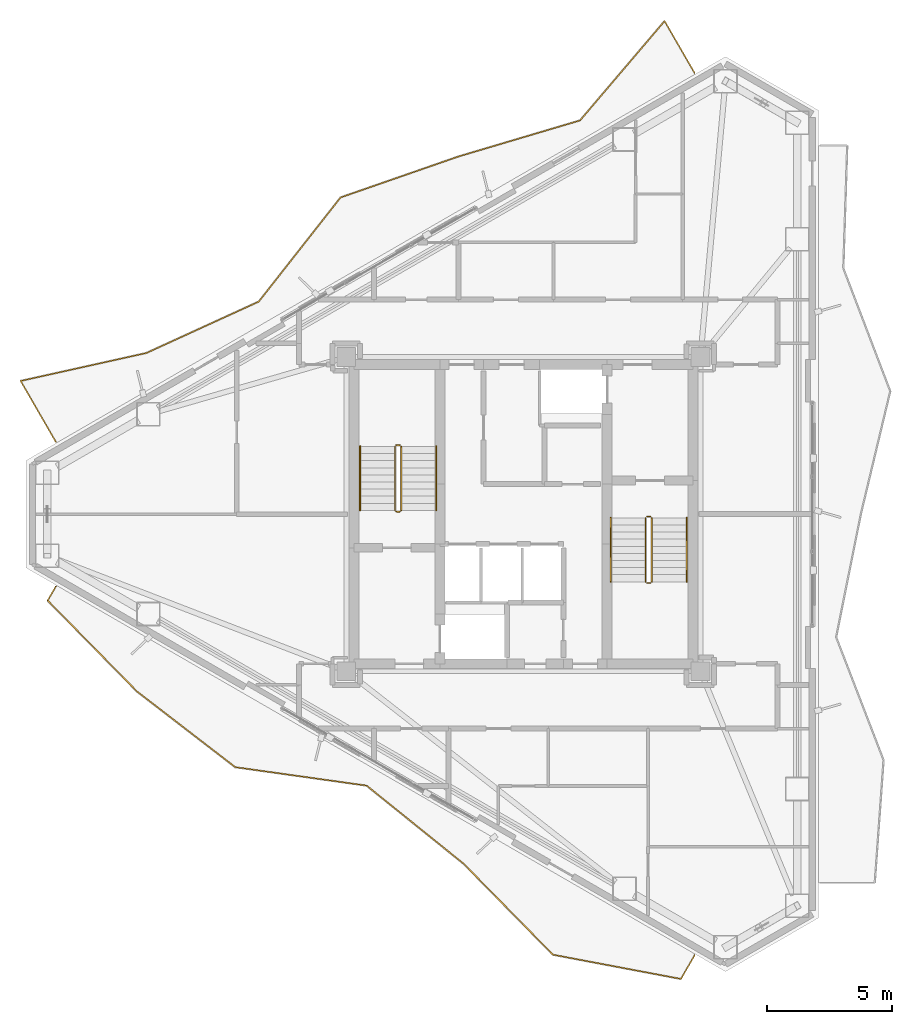
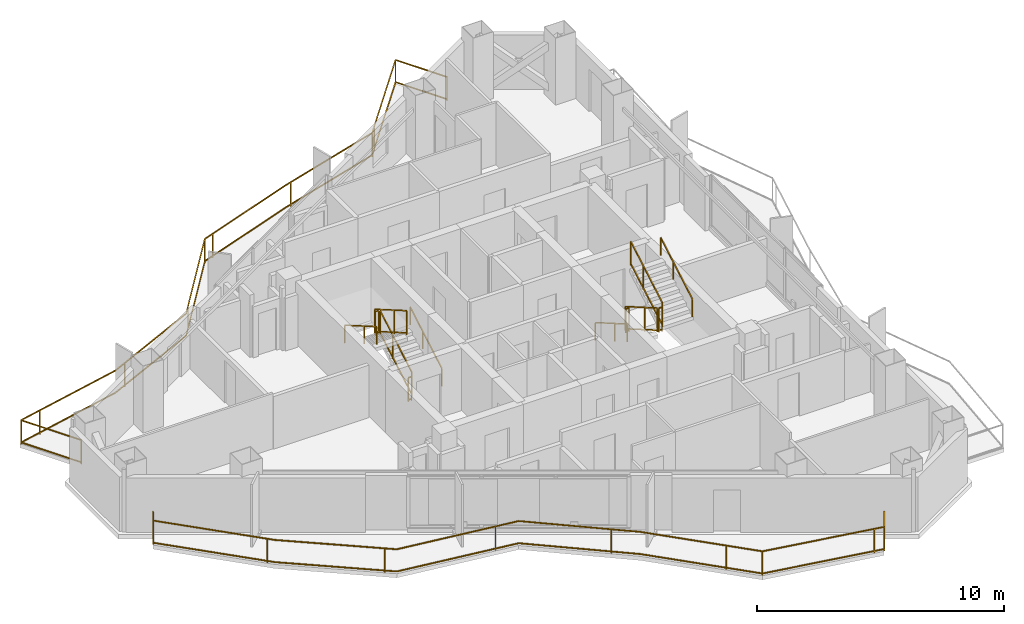
# One storey, part 20 of 21: 14 railings.
"""IFC4 building model written with IfcOpenShell, lengths in metres."""

from ifc_helpers import new_model, si_unit, direction, frame, origin, origin_2d, place, context, subcontext, project, spatial, rectangle, extrude, material, type_object, element, save


model = new_model("IFC4")

# Units and contexts
model_context = context("Model", 3, precision=1e-05, world=origin(), true_north=direction((0.0, 1.0)))
body_context = subcontext(model_context, "Body", "Model", "MODEL_VIEW")
ifc_project = project(units=[si_unit("LENGTHUNIT", "METRE"), si_unit("AREAUNIT", "SQUARE_METRE"), si_unit("VOLUMEUNIT", "CUBIC_METRE"), si_unit("PLANEANGLEUNIT", "RADIAN"), si_unit("MASSUNIT", "GRAM", prefix="KILO")], contexts=[model_context])

# Site, building, storey
site_placement = place(None, origin())
site = spatial("IfcSite", under=ifc_project, at=site_placement, CompositionType="ELEMENT")
building_placement = place(site_placement, origin())
building = spatial("IfcBuilding", under=site, at=building_placement, Name="Mersakhor Tower and Convention Hall", CompositionType="ELEMENT")
storey_placement = place(building_placement, frame((0.0, 0.0, 182.10009765625)))
storey = spatial("IfcBuildingStorey", under=building, at=storey_placement, Name="L50", CompositionType="ELEMENT", Elevation=182.10009765625)

# Railings
ifc_material_1 = material(Name="Powder-coated galvanised steel and laminated glass balustrade", Category="steel")
railing_type_1 = type_object("IfcRailingType", Name="RL-BAL-1200", PredefinedType="BALUSTRADE", material=ifc_material_1)
railing_1_placement = place(storey_placement, frame((35.86669921875, 44.44189453125, 0.0)))
element("IfcRailing", 1, at=railing_1_placement, inside=storey, type_object=railing_type_1, Name="L50 Sinusoidal Balcony Balustrade F1", PredefinedType="BALUSTRADE", context=body_context, shape_type="SweptSolid", body=[
    extrude(rectangle(XDim=0.048095703125, YDim=0.048095703125, at=origin_2d()), frame((0.0, 0.0, 1.17578125), z_axis=(-0.499991841196, 0.866030114221, 0.0), x_axis=(-0.866030114221, -0.499991841196, 0.0)), (0.0, 0.0, 1.0), 2.40576171875),
    extrude(rectangle(XDim=0.048095703125, YDim=0.048095703125, at=origin_2d()), frame((0.0, 0.0, 0.080078125), z_axis=(-0.499991841196, 0.866030114221, 0.0), x_axis=(-0.866030114221, -0.499991841196, 0.0)), (0.0, 0.0, 1.0), 2.40576171875),
    extrude(rectangle(XDim=0.048095703125, YDim=0.048095703125, at=origin_2d()), frame((-1.202880859375, 2.08349609375, 1.17578125), z_axis=(-0.648133018475, -0.76152714355, 0.0), x_axis=(0.76152714355, -0.648133018475, 0.0)), (0.0, 0.0, 1.0), 5.234130859375),
    extrude(rectangle(XDim=0.048095703125, YDim=0.048095703125, at=origin_2d()), frame((-1.202880859375, 2.08349609375, 0.080078125), z_axis=(-0.648133018475, -0.76152714355, 0.0), x_axis=(0.76152714355, -0.648133018475, 0.0)), (0.0, 0.0, 1.0), 5.234130859375),
    extrude(rectangle(XDim=0.048095703125, YDim=0.048095703125, at=origin_2d()), frame((-4.59521484375, -1.90234375, 1.17578125), z_axis=(-0.958674160479, -0.2845063339, 0.0), x_axis=(0.2845063339, -0.958674160479, 0.0)), (0.0, 0.0, 1.0), 5.070556640625),
    extrude(rectangle(XDim=0.048095703125, YDim=0.048095703125, at=origin_2d()), frame((-4.59521484375, -1.90234375, 0.080078125), z_axis=(-0.958674160479, -0.2845063339, 0.0), x_axis=(0.2845063339, -0.958674160479, 0.0)), (0.0, 0.0, 1.0), 5.070556640625),
    extrude(rectangle(XDim=0.048095703125, YDim=0.048095703125, at=origin_2d()), frame((-9.456298828125, -3.344970703125, 1.17578125), z_axis=(-0.944680988636, -0.327990593934, 0.0), x_axis=(0.327990593934, -0.944680988636, 0.0)), (0.0, 0.0, 1.0), 5.020751953125),
    extrude(rectangle(XDim=0.048095703125, YDim=0.048095703125, at=origin_2d()), frame((-9.456298828125, -3.344970703125, 0.080078125), z_axis=(-0.944680988636, -0.327990593934, 0.0), x_axis=(0.327990593934, -0.944680988636, 0.0)), (0.0, 0.0, 1.0), 5.020751953125),
    extrude(rectangle(XDim=0.048095703125, YDim=0.048095703125, at=origin_2d()), frame((-14.19921875, -4.99169921875, 1.17578125), z_axis=(-0.617703826303, -0.786410823279, 0.0), x_axis=(0.786410823279, -0.617703826303, 0.0)), (0.0, 0.0, 1.0), 5.3125),
    extrude(rectangle(XDim=0.048095703125, YDim=0.048095703125, at=origin_2d()), frame((-14.19921875, -4.99169921875, 0.080078125), z_axis=(-0.617703826303, -0.786410823279, 0.0), x_axis=(0.786410823279, -0.617703826303, 0.0)), (0.0, 0.0, 1.0), 5.3125),
    extrude(rectangle(XDim=0.048095703125, YDim=0.048095703125, at=origin_2d()), frame((-17.480712890625, -9.16943359375, 1.17578125), z_axis=(-0.90940523696, -0.415911186421, 0.0), x_axis=(0.415911186421, -0.90940523696, 0.0)), (0.0, 0.0, 1.0), 4.953125),
    extrude(rectangle(XDim=0.048095703125, YDim=0.048095703125, at=origin_2d()), frame((-17.480712890625, -9.16943359375, 0.080078125), z_axis=(-0.90940523696, -0.415911186421, 0.0), x_axis=(0.415911186421, -0.90940523696, 0.0)), (0.0, 0.0, 1.0), 4.953125),
    extrude(rectangle(XDim=0.048095703125, YDim=0.048095703125, at=origin_2d()), frame((-21.985107421875, -11.2294921875, 1.17578125), z_axis=(-0.976212611113, -0.216815446646, 0.0), x_axis=(0.216815446646, -0.976212611113, 0.0)), (0.0, 0.0, 1.0), 5.169677734375),
    extrude(rectangle(XDim=0.048095703125, YDim=0.048095703125, at=origin_2d()), frame((-21.985107421875, -11.2294921875, 0.080078125), z_axis=(-0.976212611113, -0.216815446646, 0.0), x_axis=(0.216815446646, -0.976212611113, 0.0)), (0.0, 0.0, 1.0), 5.169677734375),
    extrude(rectangle(XDim=0.048095703125, YDim=0.048095703125, at=origin_2d()), frame((-27.03173828125, -12.350341796875, 1.17578125), z_axis=(0.499984757355, -0.866034203951, 0.0), x_axis=(0.866034203951, 0.499984757355, 0.0)), (0.0, 0.0, 1.0), 2.81982421875),
    extrude(rectangle(XDim=0.048095703125, YDim=0.048095703125, at=origin_2d()), frame((-27.03173828125, -12.350341796875, 0.080078125), z_axis=(0.499984757355, -0.866034203951, 0.0), x_axis=(0.866034203951, 0.499984757355, 0.0)), (0.0, 0.0, 1.0), 2.81982421875),
    extrude(rectangle(XDim=0.0419921875, YDim=0.0419921875, at=origin_2d()), origin(), (0.0, 0.0, 1.0), 1.15185546875),
    extrude(rectangle(XDim=0.0419921875, YDim=0.0419921875, at=origin_2d()), frame((-1.202880859375, 2.08349609375, 0.0)), (0.0, 0.0, 1.0), 1.15185546875),
    extrude(rectangle(XDim=0.0419921875, YDim=0.0419921875, at=origin_2d()), frame((-4.31396484375, -1.57177734375, 0.0)), (0.0, 0.0, 1.0), 1.15185546875),
    extrude(rectangle(XDim=0.0419921875, YDim=0.0419921875, at=origin_2d()), frame((-4.59521484375, -1.90234375, 0.0)), (0.0, 0.0, 1.0), 1.15185546875),
    extrude(rectangle(XDim=0.0419921875, YDim=0.0419921875, at=origin_2d()), frame((-9.19677734375, -3.26806640625, 0.0)), (0.0, 0.0, 1.0), 1.15185546875),
    extrude(rectangle(XDim=0.0419921875, YDim=0.0419921875, at=origin_2d()), frame((-13.735107421875, -4.83056640625, 0.0)), (0.0, 0.0, 1.0), 1.15185546875),
    extrude(rectangle(XDim=0.0419921875, YDim=0.0419921875, at=origin_2d()), frame((-14.19921875, -4.99169921875, 0.0)), (0.0, 0.0, 1.0), 1.15185546875),
    extrude(rectangle(XDim=0.0419921875, YDim=0.0419921875, at=origin_2d()), frame((-17.164306640625, -8.766357421875, 0.0)), (0.0, 0.0, 1.0), 1.15185546875),
    extrude(rectangle(XDim=0.0419921875, YDim=0.0419921875, at=origin_2d()), frame((-21.3798828125, -10.95263671875, 0.0)), (0.0, 0.0, 1.0), 1.15185546875),
    extrude(rectangle(XDim=0.0419921875, YDim=0.0419921875, at=origin_2d()), frame((-26.021240234375, -12.1259765625, 0.0)), (0.0, 0.0, 1.0), 1.15185546875),
    extrude(rectangle(XDim=0.0419921875, YDim=0.0419921875, at=origin_2d()), frame((-27.03173828125, -12.350341796875, 0.0)), (0.0, 0.0, 1.0), 1.15185546875),
    extrude(rectangle(XDim=0.0419921875, YDim=0.0419921875, at=origin_2d()), frame((-25.621826171875, -14.79248046875, 0.0)), (0.0, 0.0, 1.0), 1.15185546875),
])
railing_2_placement = place(storey_placement, frame((10.244873046875, 23.8505859375, 0.0)))
element("IfcRailing", 2, at=railing_2_placement, inside=storey, type_object=railing_type_1, Name="L50 Sinusoidal Balcony Balustrade F3", PredefinedType="BALUSTRADE", context=body_context, shape_type="SweptSolid", body=[
    extrude(rectangle(XDim=0.048095703125, YDim=0.048095703125, at=origin_2d()), frame((0.0, 0.0, 1.17578125), z_axis=(-0.500058503878, -0.86599162392, 0.0), x_axis=(0.86599162392, -0.500058503878, 0.0)), (0.0, 0.0, 1.0), 0.64990234375),
    extrude(rectangle(XDim=0.048095703125, YDim=0.048095703125, at=origin_2d()), frame((0.0, 0.0, 0.080078125), z_axis=(-0.500058503878, -0.86599162392, 0.0), x_axis=(0.86599162392, -0.500058503878, 0.0)), (0.0, 0.0, 1.0), 0.64990234375),
    extrude(rectangle(XDim=0.048095703125, YDim=0.048095703125, at=origin_2d()), frame((-0.324951171875, -0.562744140625, 1.17578125), z_axis=(0.700733165424, -0.713423458316, 0.0), x_axis=(0.713423458316, 0.700733165424, 0.0)), (0.0, 0.0, 1.0), 5.117431640625),
    extrude(rectangle(XDim=0.048095703125, YDim=0.048095703125, at=origin_2d()), frame((-0.324951171875, -0.562744140625, 0.080078125), z_axis=(0.700733165424, -0.713423458316, 0.0), x_axis=(0.713423458316, 0.700733165424, 0.0)), (0.0, 0.0, 1.0), 5.117431640625),
    extrude(rectangle(XDim=0.048095703125, YDim=0.048095703125, at=origin_2d()), frame((3.260986328125, -4.213623046875, 1.17578125), z_axis=(0.792344770395, -0.610073573291, 0.0), x_axis=(0.610073573291, 0.792344770395, 0.0)), (0.0, 0.0, 1.0), 4.974609375),
    extrude(rectangle(XDim=0.048095703125, YDim=0.048095703125, at=origin_2d()), frame((3.260986328125, -4.213623046875, 0.080078125), z_axis=(0.792344770395, -0.610073573291, 0.0), x_axis=(0.610073573291, 0.792344770395, 0.0)), (0.0, 0.0, 1.0), 4.974609375),
    extrude(rectangle(XDim=0.048095703125, YDim=0.048095703125, at=origin_2d()), frame((7.20263671875, -7.24853515625, 1.17578125), z_axis=(0.990285439779, -0.139049443588, 0.0), x_axis=(0.139049443588, 0.990285439779, 0.0)), (0.0, 0.0, 1.0), 5.318359375),
    extrude(rectangle(XDim=0.048095703125, YDim=0.048095703125, at=origin_2d()), frame((7.20263671875, -7.24853515625, 0.080078125), z_axis=(0.990285439779, -0.139049443588, 0.0), x_axis=(0.139049443588, 0.990285439779, 0.0)), (0.0, 0.0, 1.0), 5.318359375),
    extrude(rectangle(XDim=0.048095703125, YDim=0.048095703125, at=origin_2d()), frame((12.46923828125, -7.988037109375, 1.17578125), z_axis=(0.778840877257, -0.62722156206, 0.0), x_axis=(0.62722156206, 0.778840877257, 0.0)), (0.0, 0.0, 1.0), 4.989990234375),
    extrude(rectangle(XDim=0.048095703125, YDim=0.048095703125, at=origin_2d()), frame((12.46923828125, -7.988037109375, 0.080078125), z_axis=(0.778840877257, -0.62722156206, 0.0), x_axis=(0.62722156206, 0.778840877257, 0.0)), (0.0, 0.0, 1.0), 4.989990234375),
    extrude(rectangle(XDim=0.048095703125, YDim=0.048095703125, at=origin_2d()), frame((16.355712890625, -11.117919921875, 1.17578125), z_axis=(0.700661182148, -0.713494154027, 0.0), x_axis=(0.713494154027, 0.700661182148, 0.0)), (0.0, 0.0, 1.0), 5.11767578125),
    extrude(rectangle(XDim=0.048095703125, YDim=0.048095703125, at=origin_2d()), frame((16.355712890625, -11.117919921875, 0.080078125), z_axis=(0.700661182148, -0.713494154027, 0.0), x_axis=(0.713494154027, 0.700661182148, 0.0)), (0.0, 0.0, 1.0), 5.11767578125),
    extrude(rectangle(XDim=0.048095703125, YDim=0.048095703125, at=origin_2d()), frame((19.94140625, -14.769287109375, 1.17578125), z_axis=(0.982549014252, -0.186003856389, 0.0), x_axis=(0.186003856389, 0.982549014252, 0.0)), (0.0, 0.0, 1.0), 5.223876953125),
    extrude(rectangle(XDim=0.048095703125, YDim=0.048095703125, at=origin_2d()), frame((19.94140625, -14.769287109375, 0.080078125), z_axis=(0.982549014252, -0.186003856389, 0.0), x_axis=(0.186003856389, 0.982549014252, 0.0)), (0.0, 0.0, 1.0), 5.223876953125),
    extrude(rectangle(XDim=0.048095703125, YDim=0.048095703125, at=origin_2d()), frame((25.07421875, -15.740966796875, 1.17578125), z_axis=(0.49999903102, 0.866025963225, 0.0), x_axis=(-0.866025963225, 0.49999903102, 0.0)), (0.0, 0.0, 1.0), 1.09521484375),
    extrude(rectangle(XDim=0.048095703125, YDim=0.048095703125, at=origin_2d()), frame((25.07421875, -15.740966796875, 0.080078125), z_axis=(0.49999903102, 0.866025963225, 0.0), x_axis=(-0.866025963225, 0.49999903102, 0.0)), (0.0, 0.0, 1.0), 1.09521484375),
    extrude(rectangle(XDim=0.0419921875, YDim=0.0419921875, at=origin_2d()), origin(), (0.0, 0.0, 1.0), 1.15185546875),
    extrude(rectangle(XDim=0.0419921875, YDim=0.0419921875, at=origin_2d()), frame((-0.324951171875, -0.562744140625, 0.0)), (0.0, 0.0, 1.0), 1.15185546875),
    extrude(rectangle(XDim=0.0419921875, YDim=0.0419921875, at=origin_2d()), frame((3.03857421875, -3.987060546875, 0.0)), (0.0, 0.0, 1.0), 1.15185546875),
    extrude(rectangle(XDim=0.0419921875, YDim=0.0419921875, at=origin_2d()), frame((6.812744140625, -6.9482421875, 0.0)), (0.0, 0.0, 1.0), 1.15185546875),
    extrude(rectangle(XDim=0.0419921875, YDim=0.0419921875, at=origin_2d()), frame((11.46875, -7.84765625, 0.0)), (0.0, 0.0, 1.0), 1.15185546875),
    extrude(rectangle(XDim=0.0419921875, YDim=0.0419921875, at=origin_2d()), frame((15.4208984375, -10.364990234375, 0.0)), (0.0, 0.0, 1.0), 1.15185546875),
    extrude(rectangle(XDim=0.0419921875, YDim=0.0419921875, at=origin_2d()), frame((18.877685546875, -13.686279296875, 0.0)), (0.0, 0.0, 1.0), 1.15185546875),
    extrude(rectangle(XDim=0.0419921875, YDim=0.0419921875, at=origin_2d()), frame((19.94140625, -14.769287109375, 0.0)), (0.0, 0.0, 1.0), 1.15185546875),
    extrude(rectangle(XDim=0.0419921875, YDim=0.0419921875, at=origin_2d()), frame((24.65771484375, -15.662109375, 0.0)), (0.0, 0.0, 1.0), 1.15185546875),
    extrude(rectangle(XDim=0.0419921875, YDim=0.0419921875, at=origin_2d()), frame((25.07421875, -15.740966796875, 0.0)), (0.0, 0.0, 1.0), 1.15185546875),
    extrude(rectangle(XDim=0.0419921875, YDim=0.0419921875, at=origin_2d()), frame((25.621826171875, -14.79248046875, 0.0)), (0.0, 0.0, 1.0), 1.15185546875),
])
ifc_material_2 = material(Name="Brushed stainless steel handrail", Category="steel")
railing_type_2 = type_object("IfcRailingType", Name="RL-HR-900", PredefinedType="HANDRAIL", material=ifc_material_2)
railing_3_placement = place(storey_placement, frame((25.5, 26.89990234375, 0.164794921875)))
element("IfcRailing", 3, at=railing_3_placement, inside=storey, type_object=railing_type_2, Name="L50 ST-1 stair handrail 1", PredefinedType="HANDRAIL", context=body_context, shape_type="SweptSolid", body=[
    extrude(rectangle(XDim=0.048095703125, YDim=0.048095703125, at=origin_2d()), frame((0.0, 0.0, 0.8759765625), z_axis=(0.0, 0.865426285481, 0.501036270542), x_axis=(-1.0, 0.0, 0.0)), (0.0, 0.0, 1.0), 2.964111328125),
    extrude(rectangle(XDim=0.0419921875, YDim=0.0419921875, at=origin_2d()), origin(), (0.0, 0.0, 1.0), 0.851806640625),
    extrude(rectangle(XDim=0.0419921875, YDim=0.0419921875, at=origin_2d()), frame((0.0, 1.557861328125, 0.90185546875)), (0.0, 0.0, 1.0), 0.851806640625),
    extrude(rectangle(XDim=0.0419921875, YDim=0.0419921875, at=origin_2d()), frame((0.0, 2.565185546875, 1.485107421875)), (0.0, 0.0, 1.0), 0.851806640625),
])
railing_4_placement = place(storey_placement, frame((22.449951171875, 29.465087890625, 1.81494140625)))
element("IfcRailing", 4, at=railing_4_placement, inside=storey, type_object=railing_type_2, Name="L50 ST-1 stair handrail 2", PredefinedType="HANDRAIL", context=body_context, shape_type="SweptSolid", body=[
    extrude(rectangle(XDim=0.048095703125, YDim=0.048095703125, at=origin_2d()), frame((0.0, 0.0, 0.8759765625), z_axis=(0.0, -0.865461999751, 0.500974577186), x_axis=(1.0, 0.0, 0.0)), (0.0, 0.0, 1.0), 2.9638671875),
    extrude(rectangle(XDim=0.0419921875, YDim=0.0419921875, at=origin_2d()), origin(), (0.0, 0.0, 1.0), 0.851806640625),
    extrude(rectangle(XDim=0.0419921875, YDim=0.0419921875, at=origin_2d()), frame((0.0, -1.557861328125, 0.90185546875)), (0.0, 0.0, 1.0), 0.851806640625),
    extrude(rectangle(XDim=0.0419921875, YDim=0.0419921875, at=origin_2d()), frame((0.0, -2.565185546875, 1.48486328125)), (0.0, 0.0, 1.0), 0.851806640625),
])
railing_5_placement = place(storey_placement, frame((32.5, 26.60009765625, 0.164794921875)))
element("IfcRailing", 5, at=railing_5_placement, inside=storey, type_object=railing_type_2, Name="L50 ST-2 stair handrail 1", PredefinedType="HANDRAIL", context=body_context, shape_type="SweptSolid", body=[
    extrude(rectangle(XDim=0.048095703125, YDim=0.048095703125, at=origin_2d()), frame((0.0, 0.0, 0.8759765625), z_axis=(0.0, -0.865426285481, 0.501036270542), x_axis=(1.0, 0.0, 0.0)), (0.0, 0.0, 1.0), 2.964111328125),
    extrude(rectangle(XDim=0.0419921875, YDim=0.0419921875, at=origin_2d()), origin(), (0.0, 0.0, 1.0), 0.851806640625),
    extrude(rectangle(XDim=0.0419921875, YDim=0.0419921875, at=origin_2d()), frame((0.0, -1.557861328125, 0.90185546875)), (0.0, 0.0, 1.0), 0.851806640625),
    extrude(rectangle(XDim=0.0419921875, YDim=0.0419921875, at=origin_2d()), frame((0.0, -2.565185546875, 1.485107421875)), (0.0, 0.0, 1.0), 0.851806640625),
])
railing_6_placement = place(storey_placement, frame((35.550048828125, 24.034912109375, 1.81494140625)))
element("IfcRailing", 6, at=railing_6_placement, inside=storey, type_object=railing_type_2, Name="L50 ST-2 stair handrail 2", PredefinedType="HANDRAIL", context=body_context, shape_type="SweptSolid", body=[
    extrude(rectangle(XDim=0.048095703125, YDim=0.048095703125, at=origin_2d()), frame((0.0, 0.0, 0.8759765625), z_axis=(0.0, 0.865461999751, 0.500974577186), x_axis=(-1.0, 0.0, 0.0)), (0.0, 0.0, 1.0), 2.9638671875),
    extrude(rectangle(XDim=0.0419921875, YDim=0.0419921875, at=origin_2d()), origin(), (0.0, 0.0, 1.0), 0.851806640625),
    extrude(rectangle(XDim=0.0419921875, YDim=0.0419921875, at=origin_2d()), frame((0.0, 1.557861328125, 0.90185546875)), (0.0, 0.0, 1.0), 0.851806640625),
    extrude(rectangle(XDim=0.0419921875, YDim=0.0419921875, at=origin_2d()), frame((0.0, 2.565185546875, 1.48486328125)), (0.0, 0.0, 1.0), 0.851806640625),
])
ifc_material_3 = material(Name="Painted steel stair balustrade S355", Category="steel")
railing_type_3 = type_object("IfcRailingType", Name="RL-STG-1200", PredefinedType="BALUSTRADE", material=ifc_material_3)
railing_7_placement = place(storey_placement, frame((24.10009765625, 26.89990234375, 0.164794921875)))
element("IfcRailing", 7, at=railing_7_placement, inside=storey, type_object=railing_type_3, Name="L50 ST-1 stair guard 1", PredefinedType="BALUSTRADE", context=body_context, shape_type="SweptSolid", body=[
    extrude(rectangle(XDim=0.048095703125, YDim=0.048095703125, at=origin_2d()), frame((0.0, 0.0, 1.17578125), z_axis=(0.0, 0.865426285481, 0.501036270542), x_axis=(-1.0, 0.0, 0.0)), (0.0, 0.0, 1.0), 2.964111328125),
    extrude(rectangle(XDim=0.048095703125, YDim=0.048095703125, at=origin_2d()), frame((0.0, 0.0, 0.080078125), z_axis=(0.0, 0.865426285481, 0.501036270542), x_axis=(-1.0, 0.0, 0.0)), (0.0, 0.0, 1.0), 2.964111328125),
    extrude(rectangle(XDim=0.0419921875, YDim=0.0419921875, at=origin_2d()), origin(), (0.0, 0.0, 1.0), 1.15185546875),
    extrude(rectangle(XDim=0.0419921875, YDim=0.0419921875, at=origin_2d()), frame((0.0, 1.557861328125, 0.90185546875)), (0.0, 0.0, 1.0), 1.15185546875),
    extrude(rectangle(XDim=0.0419921875, YDim=0.0419921875, at=origin_2d()), frame((0.0, 2.565185546875, 1.485107421875)), (0.0, 0.0, 1.0), 1.15185546875),
])
railing_8_placement = place(storey_placement, frame((24.050048828125, 29.514892578125, 1.64990234375)))
element("IfcRailing", 8, at=railing_8_placement, inside=storey, type_object=railing_type_3, Name="L50 ST-1 stair guard 2", PredefinedType="BALUSTRADE", context=body_context, shape_type="SweptSolid", body=[
    extrude(rectangle(XDim=0.048095703125, YDim=0.048095703125, at=origin_2d()), frame((0.0, 0.0, 1.17578125), z_axis=(-1.0, 0.0, 0.0), x_axis=(0.0, -1.0, 0.0)), (0.0, 0.0, 1.0), 0.150146484375),
    extrude(rectangle(XDim=0.048095703125, YDim=0.048095703125, at=origin_2d()), frame((0.0, 0.0, 0.080078125), z_axis=(-1.0, 0.0, 0.0), x_axis=(0.0, -1.0, 0.0)), (0.0, 0.0, 1.0), 0.150146484375),
    extrude(rectangle(XDim=0.0419921875, YDim=0.0419921875, at=origin_2d()), origin(), (0.0, 0.0, 1.0), 1.15185546875),
    extrude(rectangle(XDim=0.0419921875, YDim=0.0419921875, at=origin_2d()), frame((-0.150146484375, 0.0, 0.0)), (0.0, 0.0, 1.0), 1.15185546875),
])
railing_9_placement = place(storey_placement, frame((23.85009765625, 29.465087890625, 1.81494140625)))
element("IfcRailing", 9, at=railing_9_placement, inside=storey, type_object=railing_type_3, Name="L50 ST-1 stair guard 3", PredefinedType="BALUSTRADE", context=body_context, shape_type="SweptSolid", body=[
    extrude(rectangle(XDim=0.048095703125, YDim=0.048095703125, at=origin_2d()), frame((0.0, 0.0, 1.17578125), z_axis=(0.0, -0.865461999751, 0.500974577186), x_axis=(1.0, 0.0, 0.0)), (0.0, 0.0, 1.0), 2.9638671875),
    extrude(rectangle(XDim=0.048095703125, YDim=0.048095703125, at=origin_2d()), frame((0.0, 0.0, 0.080078125), z_axis=(0.0, -0.865461999751, 0.500974577186), x_axis=(1.0, 0.0, 0.0)), (0.0, 0.0, 1.0), 2.9638671875),
    extrude(rectangle(XDim=0.0419921875, YDim=0.0419921875, at=origin_2d()), origin(), (0.0, 0.0, 1.0), 1.15185546875),
    extrude(rectangle(XDim=0.0419921875, YDim=0.0419921875, at=origin_2d()), frame((0.0, -1.557861328125, 0.90185546875)), (0.0, 0.0, 1.0), 1.15185546875),
    extrude(rectangle(XDim=0.0419921875, YDim=0.0419921875, at=origin_2d()), frame((0.0, -2.565185546875, 1.48486328125)), (0.0, 0.0, 1.0), 1.15185546875),
])
railing_10_placement = place(storey_placement, frame((24.050048828125, 26.85009765625, 0.0)))
element("IfcRailing", 10, at=railing_10_placement, inside=storey, type_object=railing_type_3, Name="L50 ST-1 stair guard 4", PredefinedType="BALUSTRADE", context=body_context, shape_type="SweptSolid", body=[
    extrude(rectangle(XDim=0.048095703125, YDim=0.048095703125, at=origin_2d()), frame((0.0, 0.0, 1.17578125), z_axis=(-1.0, 0.0, 0.0), x_axis=(0.0, -1.0, 0.0)), (0.0, 0.0, 1.0), 0.150146484375),
    extrude(rectangle(XDim=0.048095703125, YDim=0.048095703125, at=origin_2d()), frame((0.0, 0.0, 0.080078125), z_axis=(-1.0, 0.0, 0.0), x_axis=(0.0, -1.0, 0.0)), (0.0, 0.0, 1.0), 0.150146484375),
    extrude(rectangle(XDim=0.0419921875, YDim=0.0419921875, at=origin_2d()), origin(), (0.0, 0.0, 1.0), 1.15185546875),
    extrude(rectangle(XDim=0.0419921875, YDim=0.0419921875, at=origin_2d()), frame((-0.150146484375, 0.0, 0.0)), (0.0, 0.0, 1.0), 1.15185546875),
])
railing_11_placement = place(storey_placement, frame((33.89990234375, 26.60009765625, 0.164794921875)))
element("IfcRailing", 11, at=railing_11_placement, inside=storey, type_object=railing_type_3, Name="L50 ST-2 stair guard 1", PredefinedType="BALUSTRADE", context=body_context, shape_type="SweptSolid", body=[
    extrude(rectangle(XDim=0.048095703125, YDim=0.048095703125, at=origin_2d()), frame((0.0, 0.0, 1.17578125), z_axis=(0.0, -0.865426285481, 0.501036270542), x_axis=(1.0, 0.0, 0.0)), (0.0, 0.0, 1.0), 2.964111328125),
    extrude(rectangle(XDim=0.048095703125, YDim=0.048095703125, at=origin_2d()), frame((0.0, 0.0, 0.080078125), z_axis=(0.0, -0.865426285481, 0.501036270542), x_axis=(1.0, 0.0, 0.0)), (0.0, 0.0, 1.0), 2.964111328125),
    extrude(rectangle(XDim=0.0419921875, YDim=0.0419921875, at=origin_2d()), origin(), (0.0, 0.0, 1.0), 1.15185546875),
    extrude(rectangle(XDim=0.0419921875, YDim=0.0419921875, at=origin_2d()), frame((0.0, -1.557861328125, 0.90185546875)), (0.0, 0.0, 1.0), 1.15185546875),
    extrude(rectangle(XDim=0.0419921875, YDim=0.0419921875, at=origin_2d()), frame((0.0, -2.565185546875, 1.485107421875)), (0.0, 0.0, 1.0), 1.15185546875),
])
railing_12_placement = place(storey_placement, frame((33.949951171875, 23.985107421875, 1.64990234375)))
element("IfcRailing", 12, at=railing_12_placement, inside=storey, type_object=railing_type_3, Name="L50 ST-2 stair guard 2", PredefinedType="BALUSTRADE", context=body_context, shape_type="SweptSolid", body=[
    extrude(rectangle(XDim=0.048095703125, YDim=0.048095703125, at=origin_2d()), frame((0.0, 0.0, 1.17578125), z_axis=(1.0, 0.0, 0.0), x_axis=(0.0, 1.0, 0.0)), (0.0, 0.0, 1.0), 0.150146484375),
    extrude(rectangle(XDim=0.048095703125, YDim=0.048095703125, at=origin_2d()), frame((0.0, 0.0, 0.080078125), z_axis=(1.0, 0.0, 0.0), x_axis=(0.0, 1.0, 0.0)), (0.0, 0.0, 1.0), 0.150146484375),
    extrude(rectangle(XDim=0.0419921875, YDim=0.0419921875, at=origin_2d()), origin(), (0.0, 0.0, 1.0), 1.15185546875),
    extrude(rectangle(XDim=0.0419921875, YDim=0.0419921875, at=origin_2d()), frame((0.150146484375, 0.0, 0.0)), (0.0, 0.0, 1.0), 1.15185546875),
])
railing_13_placement = place(storey_placement, frame((34.14990234375, 24.034912109375, 1.81494140625)))
element("IfcRailing", 13, at=railing_13_placement, inside=storey, type_object=railing_type_3, Name="L50 ST-2 stair guard 3", PredefinedType="BALUSTRADE", context=body_context, shape_type="SweptSolid", body=[
    extrude(rectangle(XDim=0.048095703125, YDim=0.048095703125, at=origin_2d()), frame((0.0, 0.0, 1.17578125), z_axis=(0.0, 0.865461999751, 0.500974577186), x_axis=(-1.0, 0.0, 0.0)), (0.0, 0.0, 1.0), 2.9638671875),
    extrude(rectangle(XDim=0.048095703125, YDim=0.048095703125, at=origin_2d()), frame((0.0, 0.0, 0.080078125), z_axis=(0.0, 0.865461999751, 0.500974577186), x_axis=(-1.0, 0.0, 0.0)), (0.0, 0.0, 1.0), 2.9638671875),
    extrude(rectangle(XDim=0.0419921875, YDim=0.0419921875, at=origin_2d()), origin(), (0.0, 0.0, 1.0), 1.15185546875),
    extrude(rectangle(XDim=0.0419921875, YDim=0.0419921875, at=origin_2d()), frame((0.0, 1.557861328125, 0.90185546875)), (0.0, 0.0, 1.0), 1.15185546875),
    extrude(rectangle(XDim=0.0419921875, YDim=0.0419921875, at=origin_2d()), frame((0.0, 2.565185546875, 1.48486328125)), (0.0, 0.0, 1.0), 1.15185546875),
])
railing_14_placement = place(storey_placement, frame((33.949951171875, 26.64990234375, 0.0)))
element("IfcRailing", 14, at=railing_14_placement, inside=storey, type_object=railing_type_3, Name="L50 ST-2 stair guard 4", PredefinedType="BALUSTRADE", context=body_context, shape_type="SweptSolid", body=[
    extrude(rectangle(XDim=0.048095703125, YDim=0.048095703125, at=origin_2d()), frame((0.0, 0.0, 1.17578125), z_axis=(1.0, 0.0, 0.0), x_axis=(0.0, 1.0, 0.0)), (0.0, 0.0, 1.0), 0.150146484375),
    extrude(rectangle(XDim=0.048095703125, YDim=0.048095703125, at=origin_2d()), frame((0.0, 0.0, 0.080078125), z_axis=(1.0, 0.0, 0.0), x_axis=(0.0, 1.0, 0.0)), (0.0, 0.0, 1.0), 0.150146484375),
    extrude(rectangle(XDim=0.0419921875, YDim=0.0419921875, at=origin_2d()), origin(), (0.0, 0.0, 1.0), 1.15185546875),
    extrude(rectangle(XDim=0.0419921875, YDim=0.0419921875, at=origin_2d()), frame((0.150146484375, 0.0, 0.0)), (0.0, 0.0, 1.0), 1.15185546875),
])

save(model, "model.ifc")
